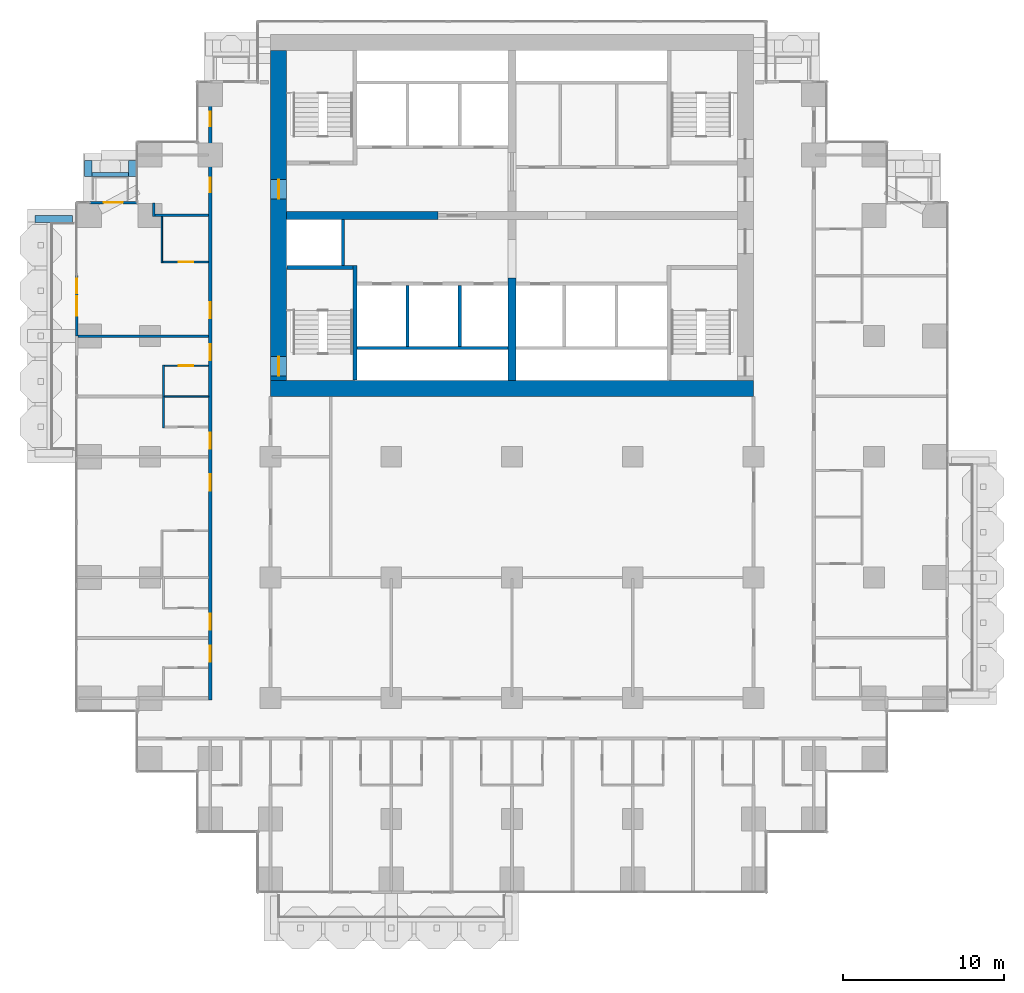
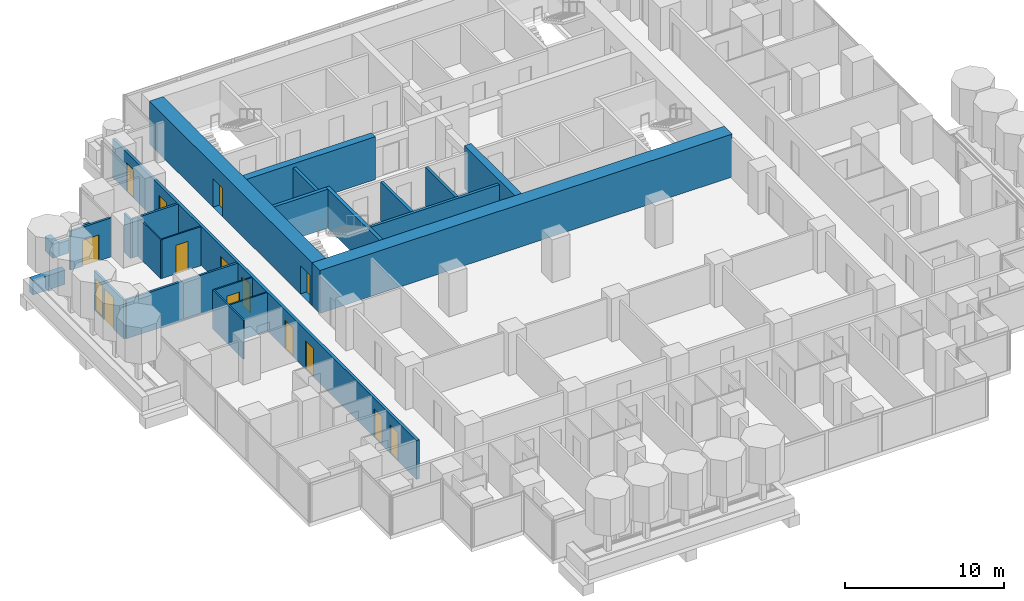
# One storey, part 13 of 19: 25 walls, 14 doors, 1 window, 15 openings.
"""IFC4 building model written with IfcOpenShell, lengths in metres."""

from ifc_helpers import new_model, si_unit, direction, frame, frame_2d, origin, place, context, subcontext, project, spatial, rectangle, extrude, material, layer, layer_set, type_object, element, fill, save


model = new_model("IFC4")

# Units and contexts
model_context = context("Model", 3, precision=1e-05, world=origin(), true_north=direction((0.0, 1.0)))
body_context = subcontext(model_context, "Body", "Model", "MODEL_VIEW")
ifc_project = project(units=[si_unit("LENGTHUNIT", "METRE"), si_unit("AREAUNIT", "SQUARE_METRE"), si_unit("VOLUMEUNIT", "CUBIC_METRE"), si_unit("PLANEANGLEUNIT", "RADIAN"), si_unit("MASSUNIT", "GRAM", prefix="KILO")], contexts=[model_context])

# Site, building, storey
site_placement = place(None, origin())
site = spatial("IfcSite", under=ifc_project, at=site_placement, CompositionType="ELEMENT")
building_placement = place(site_placement, origin())
building = spatial("IfcBuilding", under=site, at=building_placement, Name="Pilkhan Gate Tower", CompositionType="ELEMENT")
storey_placement = place(building_placement, frame((0.0, 0.0, 89.0)))
storey = spatial("IfcBuildingStorey", under=building, at=storey_placement, Name="L21", CompositionType="ELEMENT", Elevation=89.0)

# Walls
ifc_material_1 = material(Name="Concrete C40/50", Category="concrete")
ifc_layer_1 = layer(ifc_material_1, 0.25)
ifc_layer_set_1 = layer_set([ifc_layer_1], Name="Balcony planter BP250")
wall_type_1 = type_object("IfcWallType", Name="Balcony planter BP250", PredefinedType="USERDEFINED", material=ifc_layer_set_1)
wall_1_placement = place(storey_placement, frame((48.89990234375, 85.02490234375, 0.0), z_axis=(0.0, 0.0, 1.0), x_axis=(1.0, 0.0, 0.0)))
element("IfcWall", 1, at=wall_1_placement, inside=storey, type_object=wall_type_1, Name="Balcony planter L21 N", ObjectType="BALCONY PLANTER", PredefinedType="USERDEFINED", context=body_context, shape_type="SweptSolid", body=[
    extrude(rectangle(XDim=2.280029296875, YDim=0.25, at=frame_2d((1.14013671875, 0.0))), origin(), (0.0, 0.0, 1.0), 1.0),
])
ifc_material_2 = material(Name="Board-marked Concrete C40/50", Category="concrete")
ifc_layer_2 = layer(ifc_material_2, 0.449951171875)
ifc_layer_set_2 = layer_set([ifc_layer_2], Name="Balcony planter lip BL450")
wall_type_2 = type_object("IfcWallType", Name="Balcony planter lip BL450", PredefinedType="USERDEFINED", material=ifc_layer_set_2)
for number, where, z_axis, x_axis, name in (
    (2, (48.675048828125, 84.89990234375, 0.0), (0.0, 0.0, 1.0), (0.0, 1.0, 0.0), "Balcony planter L21 N"),
    (3, (51.405029296875, 84.89990234375, 0.0), (0.0, 0.0, 1.0), (0.0, 1.0, 0.0), "Balcony planter L21 N"),
):
    element("IfcWall", number, at=place(storey_placement, frame(where, z_axis=z_axis, x_axis=x_axis)), inside=storey, type_object=wall_type_2, Name=name, ObjectType="BALCONY PLANTER", PredefinedType="USERDEFINED", context=body_context, shape_type="SweptSolid", body=[
        extrude(rectangle(XDim=1.0, YDim=0.449951171875, at=frame_2d((0.5, 0.0))), origin(), (0.0, 0.0, 1.0), 1.10009765625),
    ])
wall_2_placement = place(storey_placement, frame((47.699951171875, 82.27490234375, 0.0), z_axis=(0.0, 0.0, 1.0), x_axis=(-1.0, 0.0, 0.0)))
element("IfcWall", 4, at=wall_2_placement, inside=storey, type_object=wall_type_2, Name="Balcony planter L21 W", ObjectType="BALCONY PLANTER", PredefinedType="USERDEFINED", context=body_context, shape_type="SweptSolid", body=[
    extrude(rectangle(XDim=2.349853515625, YDim=0.449951171875, at=frame_2d((1.1748046875, 0.0))), origin(), (0.0, 0.0, 1.0), 1.10009765625),
])
ifc_material_3 = material(Name="Concrete C70/85", Category="concrete")
ifc_layer_3 = layer(ifc_material_3, 1.0)
ifc_layer_set_3 = layer_set([ifc_layer_3], Name="Core wall CW1000 C70/85")
wall_type_3 = type_object("IfcWallType", Name="Core wall CW1000 C70/85", PredefinedType="SHEAR", material=ifc_layer_set_3)
wall_3_placement = place(storey_placement, frame((60.0, 71.75, 0.0), z_axis=(0.0, 0.0, 1.0), x_axis=(1.0, 0.0, 0.0)))
element("IfcWall", 5, at=wall_3_placement, inside=storey, type_object=wall_type_3, Name="Core wall S L21", PredefinedType="SHEAR", context=body_context, shape_type="SweptSolid", body=[
    extrude(rectangle(XDim=30.0, YDim=1.0, at=frame_2d((15.0, 0.0))), origin(), (0.0, 0.0, 1.0), 3.300048828125),
])

# Wall, openings, doors
wall_4_placement = place(storey_placement, frame((60.5, 92.75, 0.0), z_axis=(0.0, 0.0, 1.0), x_axis=(0.0, -1.0, 0.0)))
wall_4 = element("IfcWall", 6, at=wall_4_placement, inside=storey, type_object=wall_type_3, Name="Core wall W L21", PredefinedType="SHEAR", context=body_context, shape_type="SweptSolid", body=[
    extrude(rectangle(XDim=20.5, YDim=1.0, at=frame_2d((10.25, 0.0))), origin(), (0.0, 0.0, 1.0), 3.300048828125),
])
opening_1_placement = place(wall_4_placement, frame((19.02490234375, 0.0, 0.0)))
opening_1 = element("IfcOpeningElement", 7, at=opening_1_placement, cuts=wall_4, Name="Opening L21-04", PredefinedType="OPENING", context=body_context, shape_type="SweptSolid", body=[
    extrude(rectangle(XDim=1.199951171875, YDim=2.199951171875, at=frame_2d((0.60009765625, 1.10009765625))), frame((0.0, 0.510009765625, 0.0), z_axis=(0.0, -1.0, 0.0), x_axis=(1.0, 0.0, 0.0)), (0.0, 0.0, 1.0), 1.02001953125),
])
opening_2_placement = place(wall_4_placement, frame((8.02490234375, 0.0, 0.0)))
opening_2 = element("IfcOpeningElement", 8, at=opening_2_placement, cuts=wall_4, Name="Opening L21-49", PredefinedType="OPENING", context=body_context, shape_type="SweptSolid", body=[
    extrude(rectangle(XDim=1.199951171875, YDim=2.199951171875, at=frame_2d((0.60009765625, 1.10009765625))), frame((0.0, 0.510009765625, 0.0), z_axis=(0.0, -1.0, 0.0), x_axis=(1.0, 0.0, 0.0)), (0.0, 0.0, 1.0), 1.02001953125),
])
ifc_material_4 = material(Name="Steel door, 120 minute fire resisting, self-closing", Category="steel")
door_type_1 = type_object("IfcDoorType", Name="Firefighting lobby door D10 1200x2200", OperationType="SINGLE_SWING_LEFT", PredefinedType="DOOR", material=ifc_material_4)
door_1_placement = place(opening_2_placement, origin())
door_1 = element("IfcDoor", 9, at=door_1_placement, inside=storey, type_object=door_type_1, Name="Core door", OperationType="SINGLE_SWING_LEFT", OverallHeight=2.199951171875, OverallWidth=1.199951171875, PredefinedType="DOOR", context=body_context, shape_type="SweptSolid", body=[
    extrude(rectangle(XDim=1.199951171875, YDim=2.199951171875, at=frame_2d((0.60009765625, 1.10009765625))), frame((0.0, 0.02490234375, 0.0), z_axis=(0.0, -1.0, 0.0), x_axis=(1.0, 0.0, 0.0)), (0.0, 0.0, 1.0), 0.050048828125),
])
fill(opening_2, door_1)
ifc_material_5 = material(Name="Steel door, 120 minute fire resisting, panic bar", Category="steel")
door_type_2 = type_object("IfcDoorType", Name="Stair door D11 1200x2200", OperationType="SINGLE_SWING_LEFT", PredefinedType="DOOR", material=ifc_material_5)
door_2_placement = place(opening_1_placement, origin())
door_2 = element("IfcDoor", 10, at=door_2_placement, inside=storey, type_object=door_type_2, Name="Stair ST2 door", OperationType="SINGLE_SWING_RIGHT", OverallHeight=2.199951171875, OverallWidth=1.199951171875, PredefinedType="DOOR", context=body_context, shape_type="SweptSolid", body=[
    extrude(rectangle(XDim=1.199951171875, YDim=2.199951171875, at=frame_2d((0.60009765625, 1.10009765625))), frame((0.0, 0.02490234375, 0.0), z_axis=(0.0, -1.0, 0.0), x_axis=(1.0, 0.0, 0.0)), (0.0, 0.0, 1.0), 0.050048828125),
])
fill(opening_1, door_2)

ifc_material_6 = material(Name="Dense blockwork", Category="masonry")
ifc_layer_4 = layer(ifc_material_6, 0.199951171875)
ifc_layer_set_4 = layer_set([ifc_layer_4], Name="Corridor wall FW200")
wall_type_4 = type_object("IfcWallType", Name="Corridor wall FW200", PredefinedType="PARTITIONING", material=ifc_layer_set_4)
wall_5_placement = place(storey_placement, frame((56.25, 52.39990234375, 0.0), z_axis=(0.0, 0.0, 1.0), x_axis=(0.0, 1.0, 0.0)))
wall_5 = element("IfcWall", 11, at=wall_5_placement, inside=storey, type_object=wall_type_4, Name="Partition L21", PredefinedType="PARTITIONING", context=body_context, shape_type="SweptSolid", body=[
    extrude(rectangle(XDim=38.31005859375, YDim=0.199951171875, at=frame_2d((19.155029296875, 0.0))), origin(), (0.0, 0.0, 1.0), 3.0),
])
opening_3_placement = place(wall_5_placement, frame((2.35009765625, 0.0, 0.0)))
opening_3 = element("IfcOpeningElement", 12, at=opening_3_placement, cuts=wall_5, Name="Opening L21-26", PredefinedType="OPENING", context=body_context, shape_type="SweptSolid", body=[
    extrude(rectangle(XDim=1.0, YDim=2.199951171875, at=frame_2d((0.5, 1.10009765625))), frame((0.0, 0.10986328125, 0.0), z_axis=(0.0, -1.0, 0.0), x_axis=(1.0, 0.0, 0.0)), (0.0, 0.0, 1.0), 0.219970703125),
])
opening_4_placement = place(wall_5_placement, frame((4.35009765625, 0.0, 0.0)))
opening_4 = element("IfcOpeningElement", 13, at=opening_4_placement, cuts=wall_5, Name="Opening L21-28", PredefinedType="OPENING", context=body_context, shape_type="SweptSolid", body=[
    extrude(rectangle(XDim=1.0, YDim=2.199951171875, at=frame_2d((0.5, 1.10009765625))), frame((0.0, 0.10986328125, 0.0), z_axis=(0.0, -1.0, 0.0), x_axis=(1.0, 0.0, 0.0)), (0.0, 0.0, 1.0), 0.219970703125),
])
opening_5_placement = place(wall_5_placement, frame((13.0, 0.0, 0.0)))
opening_5 = element("IfcOpeningElement", 14, at=opening_5_placement, cuts=wall_5, Name="Opening L21-30", PredefinedType="OPENING", context=body_context, shape_type="SweptSolid", body=[
    extrude(rectangle(XDim=1.0, YDim=2.199951171875, at=frame_2d((0.5, 1.10009765625))), frame((0.0, 0.10986328125, 0.0), z_axis=(0.0, -1.0, 0.0), x_axis=(1.0, 0.0, 0.0)), (0.0, 0.0, 1.0), 0.219970703125),
])
opening_6_placement = place(wall_5_placement, frame((15.60009765625, 0.0, 0.0)))
opening_6 = element("IfcOpeningElement", 15, at=opening_6_placement, cuts=wall_5, Name="Opening L21-32", PredefinedType="OPENING", context=body_context, shape_type="SweptSolid", body=[
    extrude(rectangle(XDim=1.0, YDim=2.199951171875, at=frame_2d((0.5, 1.10009765625))), frame((0.0, 0.10986328125, 0.0), z_axis=(0.0, -1.0, 0.0), x_axis=(1.0, 0.0, 0.0)), (0.0, 0.0, 1.0), 0.219970703125),
])
opening_7_placement = place(wall_5_placement, frame((21.10009765625, 0.0, 0.0)))
opening_7 = element("IfcOpeningElement", 16, at=opening_7_placement, cuts=wall_5, Name="Opening L21-34", PredefinedType="OPENING", context=body_context, shape_type="SweptSolid", body=[
    extrude(rectangle(XDim=1.0, YDim=2.199951171875, at=frame_2d((0.5, 1.10009765625))), frame((0.0, 0.10986328125, 0.0), z_axis=(0.0, -1.0, 0.0), x_axis=(1.0, 0.0, 0.0)), (0.0, 0.0, 1.0), 0.219970703125),
])
opening_8_placement = place(wall_5_placement, frame((23.699951171875, 0.0, 0.0)))
opening_8 = element("IfcOpeningElement", 17, at=opening_8_placement, cuts=wall_5, Name="Opening L21-36", PredefinedType="OPENING", context=body_context, shape_type="SweptSolid", body=[
    extrude(rectangle(XDim=1.0, YDim=2.199951171875, at=frame_2d((0.5, 1.10009765625))), frame((0.0, 0.10986328125, 0.0), z_axis=(0.0, -1.0, 0.0), x_axis=(1.0, 0.0, 0.0)), (0.0, 0.0, 1.0), 0.219970703125),
])
opening_9_placement = place(wall_5_placement, frame((31.550048828125, 0.0, 0.0)))
opening_9 = element("IfcOpeningElement", 18, at=opening_9_placement, cuts=wall_5, Name="Opening L21-56", PredefinedType="OPENING", context=body_context, shape_type="SweptSolid", body=[
    extrude(rectangle(XDim=0.89990234375, YDim=2.199951171875, at=frame_2d((0.449951171875, 1.10009765625))), frame((0.0, 0.10986328125, 0.0), z_axis=(0.0, -1.0, 0.0), x_axis=(1.0, 0.0, 0.0)), (0.0, 0.0, 1.0), 0.219970703125),
])
opening_10_placement = place(wall_5_placement, frame((35.64990234375, 0.0, 0.0)))
opening_10 = element("IfcOpeningElement", 19, at=opening_10_placement, cuts=wall_5, Name="Opening L21-57", PredefinedType="OPENING", context=body_context, shape_type="SweptSolid", body=[
    extrude(rectangle(XDim=0.89990234375, YDim=2.199951171875, at=frame_2d((0.449951171875, 1.10009765625))), frame((0.0, 0.10986328125, 0.0), z_axis=(0.0, -1.0, 0.0), x_axis=(1.0, 0.0, 0.0)), (0.0, 0.0, 1.0), 0.219970703125),
])
ifc_material_7 = material(Name="Timber flush door, 30 minute fire resisting", Category="wood")
door_type_3 = type_object("IfcDoorType", Name="Guest room door D01 1000x2200", OperationType="SINGLE_SWING_LEFT", PredefinedType="DOOR", material=ifc_material_7)
door_3_placement = place(opening_3_placement, origin())
door_3 = element("IfcDoor", 20, at=door_3_placement, inside=storey, type_object=door_type_3, Name="Guest room door", OperationType="SINGLE_SWING_LEFT", OverallHeight=2.199951171875, OverallWidth=1.0, PredefinedType="DOOR", context=body_context, shape_type="SweptSolid", body=[
    extrude(rectangle(XDim=1.0, YDim=2.199951171875, at=frame_2d((0.5, 1.10009765625))), frame((0.0, 0.02490234375, 0.0), z_axis=(0.0, -1.0, 0.0), x_axis=(1.0, 0.0, 0.0)), (0.0, 0.0, 1.0), 0.050048828125),
])
fill(opening_3, door_3)
door_4_placement = place(opening_4_placement, origin())
door_4 = element("IfcDoor", 21, at=door_4_placement, inside=storey, type_object=door_type_3, Name="Guest room door", OperationType="SINGLE_SWING_RIGHT", OverallHeight=2.199951171875, OverallWidth=1.0, PredefinedType="DOOR", context=body_context, shape_type="SweptSolid", body=[
    extrude(rectangle(XDim=1.0, YDim=2.199951171875, at=frame_2d((0.5, 1.10009765625))), frame((0.0, 0.02490234375, 0.0), z_axis=(0.0, -1.0, 0.0), x_axis=(1.0, 0.0, 0.0)), (0.0, 0.0, 1.0), 0.050048828125),
])
fill(opening_4, door_4)
door_5_placement = place(opening_5_placement, origin())
door_5 = element("IfcDoor", 22, at=door_5_placement, inside=storey, type_object=door_type_3, Name="Guest room door", OperationType="SINGLE_SWING_LEFT", OverallHeight=2.199951171875, OverallWidth=1.0, PredefinedType="DOOR", context=body_context, shape_type="SweptSolid", body=[
    extrude(rectangle(XDim=1.0, YDim=2.199951171875, at=frame_2d((0.5, 1.10009765625))), frame((0.0, 0.02490234375, 0.0), z_axis=(0.0, -1.0, 0.0), x_axis=(1.0, 0.0, 0.0)), (0.0, 0.0, 1.0), 0.050048828125),
])
fill(opening_5, door_5)
door_6_placement = place(opening_6_placement, origin())
door_6 = element("IfcDoor", 23, at=door_6_placement, inside=storey, type_object=door_type_3, Name="Guest room door", OperationType="SINGLE_SWING_RIGHT", OverallHeight=2.199951171875, OverallWidth=1.0, PredefinedType="DOOR", context=body_context, shape_type="SweptSolid", body=[
    extrude(rectangle(XDim=1.0, YDim=2.199951171875, at=frame_2d((0.5, 1.10009765625))), frame((0.0, 0.02490234375, 0.0), z_axis=(0.0, -1.0, 0.0), x_axis=(1.0, 0.0, 0.0)), (0.0, 0.0, 1.0), 0.050048828125),
])
fill(opening_6, door_6)
door_7_placement = place(opening_7_placement, origin())
door_7 = element("IfcDoor", 24, at=door_7_placement, inside=storey, type_object=door_type_3, Name="Guest room door", OperationType="SINGLE_SWING_LEFT", OverallHeight=2.199951171875, OverallWidth=1.0, PredefinedType="DOOR", context=body_context, shape_type="SweptSolid", body=[
    extrude(rectangle(XDim=1.0, YDim=2.199951171875, at=frame_2d((0.5, 1.10009765625))), frame((0.0, 0.02490234375, 0.0), z_axis=(0.0, -1.0, 0.0), x_axis=(1.0, 0.0, 0.0)), (0.0, 0.0, 1.0), 0.050048828125),
])
fill(opening_7, door_7)
door_8_placement = place(opening_8_placement, origin())
door_8 = element("IfcDoor", 25, at=door_8_placement, inside=storey, type_object=door_type_3, Name="Guest room door", OperationType="SINGLE_SWING_RIGHT", OverallHeight=2.199951171875, OverallWidth=1.0, PredefinedType="DOOR", context=body_context, shape_type="SweptSolid", body=[
    extrude(rectangle(XDim=1.0, YDim=2.199951171875, at=frame_2d((0.5, 1.10009765625))), frame((0.0, 0.02490234375, 0.0), z_axis=(0.0, -1.0, 0.0), x_axis=(1.0, 0.0, 0.0)), (0.0, 0.0, 1.0), 0.050048828125),
])
fill(opening_8, door_8)
ifc_material_8 = material(Name="Timber flush door, 60 minute fire resisting, self-closing", Category="wood")
door_type_4 = type_object("IfcDoorType", Name="Store door D05 900x2200", OperationType="SINGLE_SWING_LEFT", PredefinedType="DOOR", material=ifc_material_8)
door_9_placement = place(opening_9_placement, origin())
door_9 = element("IfcDoor", 26, at=door_9_placement, inside=storey, type_object=door_type_4, Name="Store door", OperationType="SINGLE_SWING_RIGHT", OverallHeight=2.199951171875, OverallWidth=0.89990234375, PredefinedType="DOOR", context=body_context, shape_type="SweptSolid", body=[
    extrude(rectangle(XDim=0.89990234375, YDim=2.199951171875, at=frame_2d((0.449951171875, 1.10009765625))), frame((0.0, 0.02490234375, 0.0), z_axis=(0.0, -1.0, 0.0), x_axis=(1.0, 0.0, 0.0)), (0.0, 0.0, 1.0), 0.050048828125),
])
fill(opening_9, door_9)
door_10_placement = place(opening_10_placement, origin())
door_10 = element("IfcDoor", 27, at=door_10_placement, inside=storey, type_object=door_type_4, Name="Store door", OperationType="SINGLE_SWING_LEFT", OverallHeight=2.199951171875, OverallWidth=0.89990234375, PredefinedType="DOOR", context=body_context, shape_type="SweptSolid", body=[
    extrude(rectangle(XDim=0.89990234375, YDim=2.199951171875, at=frame_2d((0.449951171875, 1.10009765625))), frame((0.0, 0.02490234375, 0.0), z_axis=(0.0, -1.0, 0.0), x_axis=(1.0, 0.0, 0.0)), (0.0, 0.0, 1.0), 0.050048828125),
])
fill(opening_10, door_10)

# Wall, opening, door
ifc_material_9 = material(Name="Pale anodised aluminium, clear laminated glazing", Category="aluminium")
ifc_layer_5 = layer(ifc_material_9, 0.14990234375)
ifc_layer_set_5 = layer_set([ifc_layer_5], Name="Facade infill wall IW150")
wall_type_5 = type_object("IfcWallType", Name="Facade infill wall IW150", PredefinedType="SOLIDWALL", material=ifc_layer_set_5)
wall_6_placement = place(storey_placement, frame((48.75, 83.294921875, 0.0), z_axis=(0.0, 0.0, 1.0), x_axis=(1.0, 0.0, 0.0)))
wall_6 = element("IfcWall", 28, at=wall_6_placement, inside=storey, type_object=wall_type_5, Name="Infill wall L21 N", PredefinedType="SOLIDWALL", context=body_context, shape_type="SweptSolid", body=[
    extrude(rectangle(XDim=2.955078125, YDim=0.14990234375, at=frame_2d((1.4775390625, 0.0))), origin(), (0.0, 0.0, 1.0), 3.0),
])
opening_11_placement = place(wall_6_placement, frame((0.87744140625, 0.0, 0.0)))
opening_11 = element("IfcOpeningElement", 29, at=opening_11_placement, cuts=wall_6, Name="Opening D1L", PredefinedType="OPENING", context=body_context, shape_type="SweptSolid", body=[
    extrude(rectangle(XDim=1.199951171875, YDim=2.0, at=frame_2d((0.60009765625, 1.0))), frame((0.0, 0.0849609375, 0.0), z_axis=(0.0, -1.0, 0.0), x_axis=(1.0, 0.0, 0.0)), (0.0, 0.0, 1.0), 0.169921875),
])
ifc_material_10 = material(Name="Pale anodised aluminium, clear glazing", Category="aluminium")
door_type_5 = type_object("IfcDoorType", Name="Balcony door D1L 1200x2000", OperationType="SINGLE_SWING_LEFT", PredefinedType="DOOR", material=ifc_material_10)
door_11_placement = place(opening_11_placement, origin())
door_11 = element("IfcDoor", 30, at=door_11_placement, inside=storey, type_object=door_type_5, Name="Balcony door L21", OperationType="SINGLE_SWING_LEFT", OverallHeight=2.0, OverallWidth=1.199951171875, PredefinedType="DOOR", context=body_context, shape_type="SweptSolid", body=[
    extrude(rectangle(XDim=1.199951171875, YDim=2.0, at=frame_2d((0.60009765625, 1.0))), frame((0.0, 0.02490234375, 0.0), z_axis=(0.0, -1.0, 0.0), x_axis=(1.0, 0.0, 0.0)), (0.0, 0.0, 1.0), 0.050048828125),
])
fill(opening_11, door_11)

# Wall, openings, door, window
wall_7_placement = place(storey_placement, frame((47.955078125, 75.0, 0.0), z_axis=(0.0, 0.0, 1.0), x_axis=(0.0, 1.0, 0.0)))
wall_7 = element("IfcWall", 31, at=wall_7_placement, inside=storey, type_object=wall_type_5, Name="Infill wall L21 W", PredefinedType="SOLIDWALL", context=body_context, shape_type="SweptSolid", body=[
    extrude(rectangle(XDim=3.75, YDim=0.14990234375, at=frame_2d((1.875, 0.0))), origin(), (0.0, 0.0, 1.0), 3.0),
])
opening_12_placement = place(wall_7_placement, frame((1.27490234375, 0.0, 0.0)))
opening_12 = element("IfcOpeningElement", 32, at=opening_12_placement, cuts=wall_7, Name="Opening D1", PredefinedType="OPENING", context=body_context, shape_type="SweptSolid", body=[
    extrude(rectangle(XDim=1.199951171875, YDim=2.39990234375, at=frame_2d((0.60009765625, 1.199951171875))), frame((0.0, 0.0849609375, 0.0), z_axis=(0.0, -1.0, 0.0), x_axis=(1.0, 0.0, 0.0)), (0.0, 0.0, 1.0), 0.169921875),
])
opening_13_placement = place(wall_7_placement, frame((2.66259765625, 0.0, 0.10009765625)))
opening_13 = element("IfcOpeningElement", 33, at=opening_13_placement, cuts=wall_7, Name="Opening W1", PredefinedType="OPENING", context=body_context, shape_type="SweptSolid", body=[
    extrude(rectangle(XDim=0.89990234375, YDim=2.39990234375, at=frame_2d((0.449951171875, 1.199951171875))), frame((0.0, 0.0849609375, 0.0), z_axis=(0.0, -1.0, 0.0), x_axis=(1.0, 0.0, 0.0)), (0.0, 0.0, 1.0), 0.169921875),
])
door_type_6 = type_object("IfcDoorType", Name="Balcony door D1 1200x2400", OperationType="SINGLE_SWING_LEFT", PredefinedType="DOOR", material=ifc_material_10)
door_12_placement = place(opening_12_placement, origin())
door_12 = element("IfcDoor", 34, at=door_12_placement, inside=storey, type_object=door_type_6, Name="Balcony door L21", OperationType="SINGLE_SWING_LEFT", OverallHeight=2.39990234375, OverallWidth=1.199951171875, PredefinedType="DOOR", context=body_context, shape_type="SweptSolid", body=[
    extrude(rectangle(XDim=1.199951171875, YDim=2.39990234375, at=frame_2d((0.60009765625, 1.199951171875))), frame((0.0, 0.02490234375, 0.0), z_axis=(0.0, -1.0, 0.0), x_axis=(1.0, 0.0, 0.0)), (0.0, 0.0, 1.0), 0.050048828125),
])
fill(opening_12, door_12)
ifc_material_11 = material(Name="Pale anodised aluminium, clear double glazing", Category="aluminium")
window_type = type_object("IfcWindowType", Name="Window W1 900x2400", PartitioningType="SINGLE_PANEL", PredefinedType="WINDOW", material=ifc_material_11)
window_placement = place(opening_13_placement, origin())
window = element("IfcWindow", 35, at=window_placement, inside=storey, type_object=window_type, Name="Window L21", OverallHeight=2.39990234375, OverallWidth=0.89990234375, PartitioningType="SINGLE_PANEL", PredefinedType="WINDOW", context=body_context, shape_type="SweptSolid", body=[
    extrude(rectangle(XDim=0.89990234375, YDim=2.39990234375, at=frame_2d((0.449951171875, 1.199951171875))), frame((0.0, 0.030029296875, 0.0), z_axis=(0.0, -1.0, 0.0), x_axis=(1.0, 0.0, 0.0)), (0.0, 0.0, 1.0), 0.06005859375),
])
fill(opening_13, window)

# Walls
ifc_material_12 = material(Name="Blockwork partition, plastered both sides", Category="masonry")
ifc_layer_6 = layer(ifc_material_12, 0.14990234375)
ifc_layer_set_6 = layer_set([ifc_layer_6], Name="Partition PW150")
wall_type_6 = type_object("IfcWallType", Name="Partition PW150", PredefinedType="PARTITIONING", material=ifc_layer_set_6)
wall_8_placement = place(storey_placement, frame((48.0400390625, 75.0, 0.0), z_axis=(0.0, 0.0, 1.0), x_axis=(1.0, 0.0, 0.0)))
element("IfcWall", 36, at=wall_8_placement, inside=storey, type_object=wall_type_6, Name="Partition L21", PredefinedType="PARTITIONING", context=body_context, shape_type="SweptSolid", body=[
    extrude(rectangle(XDim=8.10986328125, YDim=0.14990234375, at=frame_2d((4.054931640625, 0.0))), origin(), (0.0, 0.0, 1.0), 3.0),
])
wall_9_placement = place(storey_placement, frame((52.81005859375, 82.5, 0.0), z_axis=(0.0, 0.0, 1.0), x_axis=(1.0, 0.0, 0.0)))
element("IfcWall", 37, at=wall_9_placement, inside=storey, type_object=wall_type_6, Name="Partition L21", PredefinedType="PARTITIONING", context=body_context, shape_type="SweptSolid", body=[
    extrude(rectangle(XDim=3.33984375, YDim=0.14990234375, at=frame_2d((1.669921875, 0.0))), origin(), (0.0, 0.0, 1.0), 3.0),
])
wall_10_placement = place(storey_placement, frame((52.735107421875, 82.425048828125, 0.0), z_axis=(0.0, 0.0, 1.0), x_axis=(0.0, 1.0, 0.0)))
element("IfcWall", 38, at=wall_10_placement, inside=storey, type_object=wall_type_6, Name="Partition L21", PredefinedType="PARTITIONING", context=body_context, shape_type="SweptSolid", body=[
    extrude(rectangle(XDim=0.83984375, YDim=0.14990234375, at=frame_2d((0.419921875, 0.0))), origin(), (0.0, 0.0, 1.0), 3.0),
])
ifc_material_13 = material(Name="Reinforced blockwork shaft wall, 120 minute fire resisting", Category="masonry")
ifc_layer_7 = layer(ifc_material_13, 0.199951171875)
ifc_layer_set_7 = layer_set([ifc_layer_7], Name="Shaft wall SW200")
wall_type_7 = type_object("IfcWallType", Name="Shaft wall SW200", PredefinedType="PARTITIONING", material=ifc_layer_set_7)
wall_11_placement = place(storey_placement, frame((65.375, 74.25, 0.0), z_axis=(0.0, 0.0, 1.0), x_axis=(1.0, 0.0, 0.0)))
element("IfcWall", 39, at=wall_11_placement, inside=storey, type_object=wall_type_7, Name="Partition L21", PredefinedType="PARTITIONING", context=body_context, shape_type="SweptSolid", body=[
    extrude(rectangle(XDim=9.364990234375, YDim=0.199951171875, at=frame_2d((4.6826171875, 0.0))), origin(), (0.0, 0.0, 1.0), 3.0),
])
wall_12_placement = place(storey_placement, frame((64.5, 79.375, 0.0), z_axis=(0.0, 0.0, 1.0), x_axis=(0.0, 1.0, 0.0)))
element("IfcWall", 40, at=wall_12_placement, inside=storey, type_object=wall_type_7, Name="Partition L21", PredefinedType="PARTITIONING", context=body_context, shape_type="SweptSolid", body=[
    extrude(rectangle(XDim=2.864990234375, YDim=0.199951171875, at=frame_2d((1.4326171875, 0.0))), origin(), (0.0, 0.0, 1.0), 3.0),
])
for number, where, z_axis, x_axis, name in (
    (41, (68.5, 74.35009765625, 0.0), (0.0, 0.0, 1.0), (0.0, 1.0, 0.0), "Partition L21"),
    (42, (71.75, 74.35009765625, 0.0), (0.0, 0.0, 1.0), (0.0, 1.0, 0.0), "Partition L21"),
):
    element("IfcWall", number, at=place(storey_placement, frame(where, z_axis=z_axis, x_axis=x_axis)), inside=storey, type_object=wall_type_7, Name=name, PredefinedType="PARTITIONING", context=body_context, shape_type="SweptSolid", body=[
        extrude(rectangle(XDim=3.7998046875, YDim=0.199951171875, at=frame_2d((1.89990234375, 0.0))), origin(), (0.0, 0.0, 1.0), 3.0),
    ])
ifc_layer_8 = layer(ifc_material_3, 0.5)
ifc_layer_set_8 = layer_set([ifc_layer_8], Name="Spine wall SW500 C70/85")
wall_type_8 = type_object("IfcWallType", Name="Spine wall SW500 C70/85", PredefinedType="SHEAR", material=ifc_layer_set_8)
wall_13_placement = place(storey_placement, frame((61.0, 82.5, 0.0), z_axis=(0.0, 0.0, 1.0), x_axis=(1.0, 0.0, 0.0)))
element("IfcWall", 43, at=wall_13_placement, inside=storey, type_object=wall_type_8, Name="Spine wall SP-EW1 L21", PredefinedType="SHEAR", context=body_context, shape_type="SweptSolid", body=[
    extrude(rectangle(XDim=9.39990234375, YDim=0.5, at=frame_2d((4.699951171875, 0.0))), origin(), (0.0, 0.0, 1.0), 3.300048828125),
])
wall_14_placement = place(storey_placement, frame((75.0, 72.25, 0.0), z_axis=(0.0, 0.0, 1.0), x_axis=(0.0, 1.0, 0.0)))
element("IfcWall", 44, at=wall_14_placement, inside=storey, type_object=wall_type_8, Name="Spine wall SP-NS-S1 L21", PredefinedType="SHEAR", context=body_context, shape_type="SweptSolid", body=[
    extrude(rectangle(XDim=6.35009765625, YDim=0.5, at=frame_2d((3.175048828125, 0.0))), origin(), (0.0, 0.0, 1.0), 3.300048828125),
])
ifc_material_14 = material(Name="Reinforced blockwork, 120 minute fire resisting", Category="masonry")
ifc_layer_9 = layer(ifc_material_14, 0.25)
ifc_layer_set_9 = layer_set([ifc_layer_9], Name="Stair enclosure wall SE250")
wall_type_9 = type_object("IfcWallType", Name="Stair enclosure wall SE250", PredefinedType="PARTITIONING", material=ifc_layer_set_9)
wall_15_placement = place(storey_placement, frame((61.010009765625, 79.25, 0.0), z_axis=(0.0, 0.0, 1.0), x_axis=(1.0, 0.0, 0.0)))
element("IfcWall", 45, at=wall_15_placement, inside=storey, type_object=wall_type_9, Name="Partition L21", PredefinedType="PARTITIONING", context=body_context, shape_type="SweptSolid", body=[
    extrude(rectangle(XDim=4.114990234375, YDim=0.25, at=frame_2d((2.0576171875, 0.0))), origin(), (0.0, 0.0, 1.0), 3.0),
])
wall_16_placement = place(storey_placement, frame((65.25, 72.260009765625, 0.0), z_axis=(0.0, 0.0, 1.0), x_axis=(0.0, 1.0, 0.0)))
element("IfcWall", 46, at=wall_16_placement, inside=storey, type_object=wall_type_9, Name="Partition L21", PredefinedType="PARTITIONING", context=body_context, shape_type="SweptSolid", body=[
    extrude(rectangle(XDim=7.114990234375, YDim=0.25, at=frame_2d((3.5576171875, 0.0))), origin(), (0.0, 0.0, 1.0), 3.0),
])
ifc_material_15 = material(Name="Moisture resistant board, tiled")
ifc_layer_10 = layer(ifc_material_15, 0.10009765625)
ifc_layer_set_10 = layer_set([ifc_layer_10], Name="Wet wall PW100")
wall_type_10 = type_object("IfcWallType", Name="Wet wall PW100", PredefinedType="PARTITIONING", material=ifc_layer_set_10)
wall_17_placement = place(storey_placement, frame((53.39990234375, 71.25, 0.0), z_axis=(0.0, 0.0, 1.0), x_axis=(1.0, 0.0, 0.0)))
element("IfcWall", 47, at=wall_17_placement, inside=storey, type_object=wall_type_10, Name="Partition L21", PredefinedType="PARTITIONING", context=body_context, shape_type="SweptSolid", body=[
    extrude(rectangle(XDim=2.75, YDim=0.10009765625, at=frame_2d((1.375, 0.0))), origin(), (0.0, 0.0, 1.0), 3.0),
])

# Wall, opening, door
wall_18_placement = place(storey_placement, frame((53.39990234375, 73.14990234375, 0.0), z_axis=(0.0, 0.0, 1.0), x_axis=(1.0, 0.0, 0.0)))
wall_18 = element("IfcWall", 48, at=wall_18_placement, inside=storey, type_object=wall_type_10, Name="Partition L21", PredefinedType="PARTITIONING", context=body_context, shape_type="SweptSolid", body=[
    extrude(rectangle(XDim=2.75, YDim=0.10009765625, at=frame_2d((1.375, 0.0))), origin(), (0.0, 0.0, 1.0), 3.0),
])
opening_14_placement = place(wall_18_placement, frame((0.89990234375, 0.0, 0.0)))
opening_14 = element("IfcOpeningElement", 49, at=opening_14_placement, cuts=wall_18, Name="Opening L21-35", PredefinedType="OPENING", context=body_context, shape_type="SweptSolid", body=[
    extrude(rectangle(XDim=0.89990234375, YDim=2.199951171875, at=frame_2d((0.449951171875, 1.10009765625))), frame((0.0, 0.06005859375, 0.0), z_axis=(0.0, -1.0, 0.0), x_axis=(1.0, 0.0, 0.0)), (0.0, 0.0, 1.0), 0.1201171875),
])
ifc_material_16 = material(Name="Timber flush door", Category="wood")
door_type_7 = type_object("IfcDoorType", Name="Bathroom door D02 900x2200", OperationType="SINGLE_SWING_RIGHT", PredefinedType="DOOR", material=ifc_material_16)
door_13_placement = place(opening_14_placement, origin())
door_13 = element("IfcDoor", 50, at=door_13_placement, inside=storey, type_object=door_type_7, Name="Bathroom door", OperationType="SINGLE_SWING_RIGHT", OverallHeight=2.199951171875, OverallWidth=0.89990234375, PredefinedType="DOOR", context=body_context, shape_type="SweptSolid", body=[
    extrude(rectangle(XDim=0.89990234375, YDim=2.199951171875, at=frame_2d((0.449951171875, 1.10009765625))), frame((0.0, 0.02490234375, 0.0), z_axis=(0.0, -1.0, 0.0), x_axis=(1.0, 0.0, 0.0)), (0.0, 0.0, 1.0), 0.050048828125),
])
fill(opening_14, door_13)

wall_19_placement = place(storey_placement, frame((53.300048828125, 79.60009765625, 0.0), z_axis=(0.0, 0.0, 1.0), x_axis=(1.0, 0.0, 0.0)))
wall_19 = element("IfcWall", 51, at=wall_19_placement, inside=storey, type_object=wall_type_10, Name="Partition L21", PredefinedType="PARTITIONING", context=body_context, shape_type="SweptSolid", body=[
    extrude(rectangle(XDim=2.849853515625, YDim=0.10009765625, at=frame_2d((1.4248046875, 0.0))), origin(), (0.0, 0.0, 1.0), 3.0),
])
opening_15_placement = place(wall_19_placement, frame((1.0, 0.0, 0.0)))
opening_15 = element("IfcOpeningElement", 52, at=opening_15_placement, cuts=wall_19, Name="Opening L21-37", PredefinedType="OPENING", context=body_context, shape_type="SweptSolid", body=[
    extrude(rectangle(XDim=0.89990234375, YDim=2.199951171875, at=frame_2d((0.449951171875, 1.10009765625))), frame((0.0, 0.06005859375, 0.0), z_axis=(0.0, -1.0, 0.0), x_axis=(1.0, 0.0, 0.0)), (0.0, 0.0, 1.0), 0.1201171875),
])
door_14_placement = place(opening_15_placement, origin())
door_14 = element("IfcDoor", 53, at=door_14_placement, inside=storey, type_object=door_type_7, Name="Bathroom door", OperationType="SINGLE_SWING_RIGHT", OverallHeight=2.199951171875, OverallWidth=0.89990234375, PredefinedType="DOOR", context=body_context, shape_type="SweptSolid", body=[
    extrude(rectangle(XDim=0.89990234375, YDim=2.199951171875, at=frame_2d((0.449951171875, 1.10009765625))), frame((0.0, 0.02490234375, 0.0), z_axis=(0.0, -1.0, 0.0), x_axis=(1.0, 0.0, 0.0)), (0.0, 0.0, 1.0), 0.050048828125),
])
fill(opening_15, door_14)

# Walls
wall_20_placement = place(storey_placement, frame((53.25, 79.550048828125, 0.0), z_axis=(0.0, 0.0, 1.0), x_axis=(0.0, 1.0, 0.0)))
element("IfcWall", 54, at=wall_20_placement, inside=storey, type_object=wall_type_10, Name="Partition L21", PredefinedType="PARTITIONING", context=body_context, shape_type="SweptSolid", body=[
    extrude(rectangle(XDim=2.875, YDim=0.10009765625, at=frame_2d((1.4375, 0.0))), origin(), (0.0, 0.0, 1.0), 3.0),
])
wall_21_placement = place(storey_placement, frame((53.35009765625, 69.300048828125, 0.0), z_axis=(0.0, 0.0, 1.0), x_axis=(0.0, 1.0, 0.0)))
element("IfcWall", 55, at=wall_21_placement, inside=storey, type_object=wall_type_10, Name="Partition L21", PredefinedType="PARTITIONING", context=body_context, shape_type="SweptSolid", body=[
    extrude(rectangle(XDim=3.89990234375, YDim=0.10009765625, at=frame_2d((1.949951171875, 0.0))), origin(), (0.0, 0.0, 1.0), 3.0),
])

save(model, "model.ifc")
